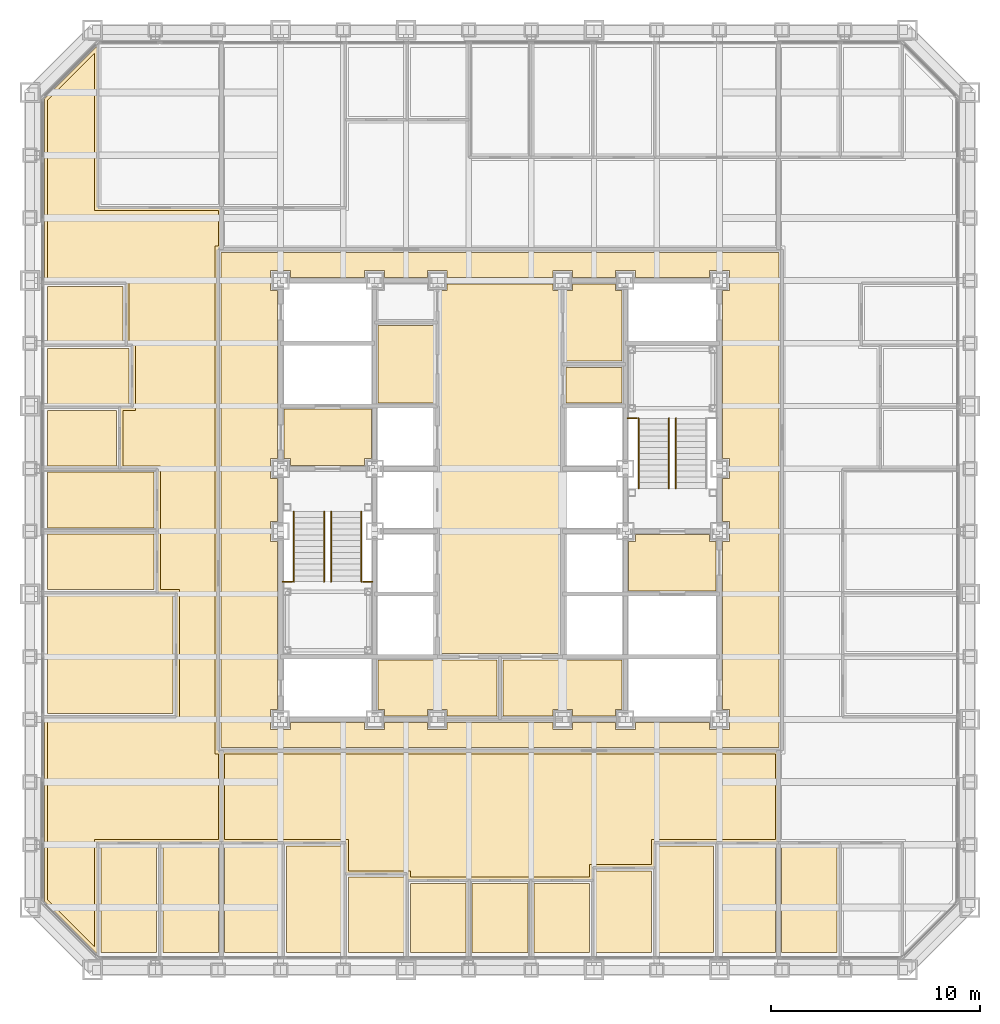
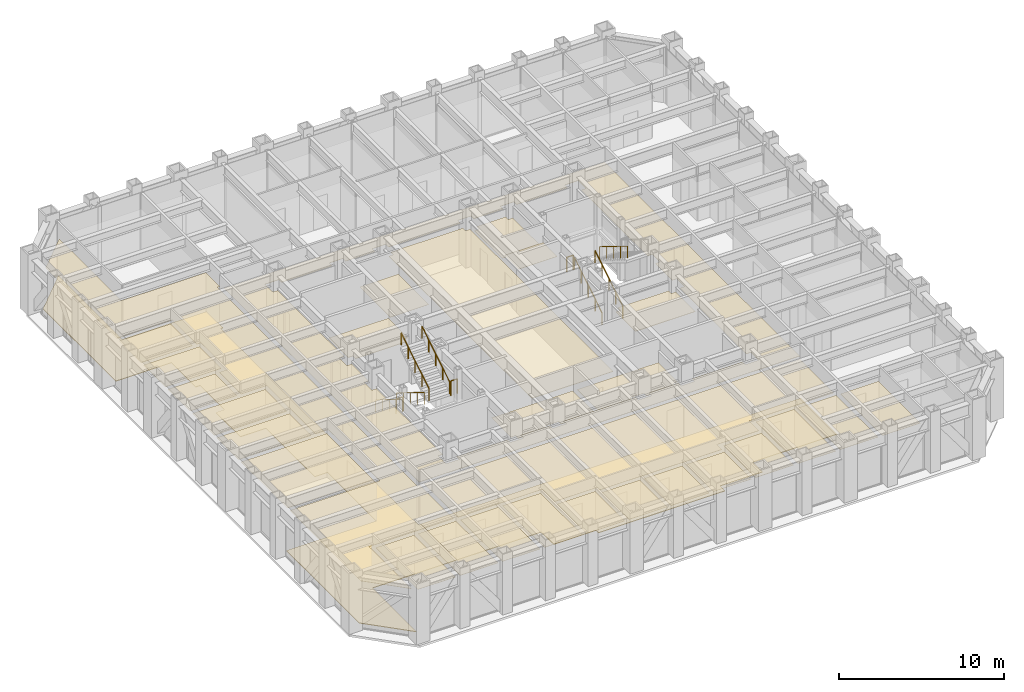
# One storey, part 14 of 16: 31 coverings, 10 railings.
"""IFC4 building model written with IfcOpenShell, lengths in metres."""

from ifc_helpers import new_model, si_unit, direction, frame, origin, origin_2d, place, context, subcontext, project, spatial, polyline, circle, outline, extrude, material, layer, layer_set, type_object, element, save


model = new_model("IFC4")

# Units and contexts
model_context = context("Model", 3, precision=1e-05, world=origin(), true_north=direction((0.0, 1.0)))
body_context = subcontext(model_context, "Body", "Model", "MODEL_VIEW")
ifc_project = project(units=[si_unit("LENGTHUNIT", "METRE"), si_unit("AREAUNIT", "SQUARE_METRE"), si_unit("VOLUMEUNIT", "CUBIC_METRE"), si_unit("PLANEANGLEUNIT", "RADIAN"), si_unit("MASSUNIT", "GRAM", prefix="KILO")], contexts=[model_context])

# Site, building, storey
site_placement = place(None, origin())
site = spatial("IfcSite", under=ifc_project, at=site_placement, CompositionType="ELEMENT")
building_placement = place(site_placement, origin())
building = spatial("IfcBuilding", under=site, at=building_placement, Name="Chuquiago Exchange Tower", CompositionType="ELEMENT")
storey_placement = place(building_placement, frame((0.0, 0.0, 73.800048828125)))
storey = spatial("IfcBuildingStorey", under=building, at=storey_placement, Name="L15", CompositionType="ELEMENT", Elevation=73.800048828125)

# Coverings
ifc_material_1 = material(Name="Mineral fibre tile, 600 x 600, on pale metal grid", Category="mineral fibre")
ifc_layer_1 = layer(ifc_material_1, 0.02001953125)
ifc_layer_set_1 = layer_set([ifc_layer_1], Name="CL1 suspended tile ceiling 20")
covering_type_1 = type_object("IfcCoveringType", Name="CL1 suspended tile ceiling 20", PredefinedType="CEILING", material=ifc_layer_set_1)
covering_1_placement = place(storey_placement, frame((0.0, 0.0, 3.0)))
element("IfcCovering", 1, at=covering_1_placement, inside=storey, type_object=covering_type_1, Name="Ceiling Office", PredefinedType="CEILING", context=body_context, shape_type="SweptSolid", body=[
    extrude(outline(polyline([(3.3984375, 5.949951171875), (6.060302734375, 5.949951171875), (6.060302734375, 0.85009765625), (3.3984375, 0.85009765625), (3.3984375, 5.949951171875)])), origin(), (0.0, 0.0, 1.0), 0.02001953125),
])
covering_2_placement = place(storey_placement, frame((0.0, 0.0, 3.0)))
element("IfcCovering", 2, at=covering_2_placement, inside=storey, type_object=covering_type_1, Name="Ceiling Office", PredefinedType="CEILING", context=body_context, shape_type="SweptSolid", body=[
    extrude(outline(polyline([(6.3603515625, 5.949951171875), (9.022216796875, 5.949951171875), (9.022216796875, 0.85009765625), (6.3603515625, 0.85009765625), (6.3603515625, 5.949951171875)])), origin(), (0.0, 0.0, 1.0), 0.02001953125),
])
covering_3_placement = place(storey_placement, frame((0.0, 0.0, 3.0)))
element("IfcCovering", 3, at=covering_3_placement, inside=storey, type_object=covering_type_1, Name="Ceiling Office", PredefinedType="CEILING", context=body_context, shape_type="SweptSolid", body=[
    extrude(outline(polyline([(9.322021484375, 5.949951171875), (11.98388671875, 5.949951171875), (11.98388671875, 0.85009765625), (9.322021484375, 0.85009765625), (9.322021484375, 5.949951171875)])), origin(), (0.0, 0.0, 1.0), 0.02001953125),
])
covering_4_placement = place(storey_placement, frame((0.0, 0.0, 3.0)))
element("IfcCovering", 4, at=covering_4_placement, inside=storey, type_object=covering_type_1, Name="Ceiling Office", PredefinedType="CEILING", context=body_context, shape_type="SweptSolid", body=[
    extrude(outline(polyline([(12.28369140625, 5.949951171875), (14.945556640625, 5.949951171875), (14.945556640625, 0.85009765625), (12.28369140625, 0.85009765625), (12.28369140625, 5.949951171875)])), origin(), (0.0, 0.0, 1.0), 0.02001953125),
])
covering_5_placement = place(storey_placement, frame((0.0, 0.0, 3.0)))
element("IfcCovering", 5, at=covering_5_placement, inside=storey, type_object=covering_type_1, Name="Ceiling Store", PredefinedType="CEILING", context=body_context, shape_type="SweptSolid", body=[
    extrude(outline(polyline([(15.24560546875, 4.449951171875), (17.907470703125, 4.449951171875), (17.907470703125, 0.85009765625), (15.24560546875, 0.85009765625), (15.24560546875, 4.449951171875)])), origin(), (0.0, 0.0, 1.0), 0.02001953125),
])
covering_6_placement = place(storey_placement, frame((0.0, 0.0, 3.0)))
element("IfcCovering", 6, at=covering_6_placement, inside=storey, type_object=covering_type_1, Name="Ceiling Focus room", PredefinedType="CEILING", context=body_context, shape_type="SweptSolid", body=[
    extrude(outline(polyline([(18.20751953125, 4.14990234375), (20.869140625, 4.14990234375), (20.869140625, 0.85009765625), (18.20751953125, 0.85009765625), (18.20751953125, 4.14990234375)])), origin(), (0.0, 0.0, 1.0), 0.02001953125),
])
covering_7_placement = place(storey_placement, frame((0.0, 0.0, 3.0)))
element("IfcCovering", 7, at=covering_7_placement, inside=storey, type_object=covering_type_1, Name="Ceiling Focus room", PredefinedType="CEILING", context=body_context, shape_type="SweptSolid", body=[
    extrude(outline(polyline([(21.169189453125, 4.14990234375), (23.830810546875, 4.14990234375), (23.830810546875, 0.85009765625), (21.169189453125, 0.85009765625), (21.169189453125, 4.14990234375)])), origin(), (0.0, 0.0, 1.0), 0.02001953125),
])
covering_8_placement = place(storey_placement, frame((0.0, 0.0, 3.0)))
element("IfcCovering", 8, at=covering_8_placement, inside=storey, type_object=covering_type_1, Name="Ceiling Focus room", PredefinedType="CEILING", context=body_context, shape_type="SweptSolid", body=[
    extrude(outline(polyline([(24.130859375, 4.14990234375), (26.79248046875, 4.14990234375), (26.79248046875, 0.85009765625), (24.130859375, 0.85009765625), (24.130859375, 4.14990234375)])), origin(), (0.0, 0.0, 1.0), 0.02001953125),
])
covering_9_placement = place(storey_placement, frame((0.0, 0.0, 3.0)))
element("IfcCovering", 9, at=covering_9_placement, inside=storey, type_object=covering_type_1, Name="Ceiling Pantry", PredefinedType="CEILING", context=body_context, shape_type="SweptSolid", body=[
    extrude(outline(polyline([(27.092529296875, 4.75), (29.75439453125, 4.75), (29.75439453125, 0.85009765625), (27.092529296875, 0.85009765625), (27.092529296875, 4.75)])), origin(), (0.0, 0.0, 1.0), 0.02001953125),
])
covering_10_placement = place(storey_placement, frame((0.0, 0.0, 3.0)))
element("IfcCovering", 10, at=covering_10_placement, inside=storey, type_object=covering_type_1, Name="Ceiling Meeting room", PredefinedType="CEILING", context=body_context, shape_type="SweptSolid", body=[
    extrude(outline(polyline([(30.054443359375, 5.949951171875), (32.71630859375, 5.949951171875), (32.71630859375, 0.85009765625), (30.054443359375, 0.85009765625), (30.054443359375, 5.949951171875)])), origin(), (0.0, 0.0, 1.0), 0.02001953125),
])
covering_11_placement = place(storey_placement, frame((0.0, 0.0, 3.0)))
element("IfcCovering", 11, at=covering_11_placement, inside=storey, type_object=covering_type_1, Name="Ceiling Meeting room", PredefinedType="CEILING", context=body_context, shape_type="SweptSolid", body=[
    extrude(outline(polyline([(33.01611328125, 5.949951171875), (35.677978515625, 5.949951171875), (35.677978515625, 0.85009765625), (33.01611328125, 0.85009765625), (33.01611328125, 5.949951171875)])), origin(), (0.0, 0.0, 1.0), 0.02001953125),
])
covering_12_placement = place(storey_placement, frame((0.0, 0.0, 3.0)))
element("IfcCovering", 12, at=covering_12_placement, inside=storey, type_object=covering_type_1, Name="Ceiling Office", PredefinedType="CEILING", context=body_context, shape_type="SweptSolid", body=[
    extrude(outline(polyline([(35.977783203125, 5.949951171875), (38.6396484375, 5.949951171875), (38.6396484375, 0.85009765625), (35.977783203125, 0.85009765625), (35.977783203125, 5.949951171875)])), origin(), (0.0, 0.0, 1.0), 0.02001953125),
])
covering_13_placement = place(storey_placement, frame((0.0, 0.0, 3.0)))
element("IfcCovering", 13, at=covering_13_placement, inside=storey, type_object=covering_type_1, Name="Ceiling Conference room", PredefinedType="CEILING", context=body_context, shape_type="SweptSolid", body=[
    extrude(outline(polyline([(6.85009765625, 17.907470703125), (6.85009765625, 12.28369140625), (0.85009765625, 12.28369140625), (0.85009765625, 17.907470703125), (6.85009765625, 17.907470703125)])), origin(), (0.0, 0.0, 1.0), 0.02001953125),
])
covering_14_placement = place(storey_placement, frame((0.0, 0.0, 3.0)))
element("IfcCovering", 14, at=covering_14_placement, inside=storey, type_object=covering_type_1, Name="Ceiling Office", PredefinedType="CEILING", context=body_context, shape_type="SweptSolid", body=[
    extrude(outline(polyline([(5.949951171875, 20.869140625), (5.949951171875, 18.20751953125), (0.85009765625, 18.20751953125), (0.85009765625, 20.869140625), (5.949951171875, 20.869140625)])), origin(), (0.0, 0.0, 1.0), 0.02001953125),
])
covering_15_placement = place(storey_placement, frame((0.0, 0.0, 3.0)))
element("IfcCovering", 15, at=covering_15_placement, inside=storey, type_object=covering_type_1, Name="Ceiling Office", PredefinedType="CEILING", context=body_context, shape_type="SweptSolid", body=[
    extrude(outline(polyline([(5.949951171875, 23.830810546875), (5.949951171875, 21.169189453125), (0.85009765625, 21.169189453125), (0.85009765625, 23.830810546875), (5.949951171875, 23.830810546875)])), origin(), (0.0, 0.0, 1.0), 0.02001953125),
])
covering_16_placement = place(storey_placement, frame((0.0, 0.0, 3.0)))
element("IfcCovering", 16, at=covering_16_placement, inside=storey, type_object=covering_type_1, Name="Ceiling Focus room", PredefinedType="CEILING", context=body_context, shape_type="SweptSolid", body=[
    extrude(outline(polyline([(4.14990234375, 26.79248046875), (4.14990234375, 24.130859375), (0.85009765625, 24.130859375), (0.85009765625, 26.79248046875), (4.14990234375, 26.79248046875)])), origin(), (0.0, 0.0, 1.0), 0.02001953125),
])
covering_17_placement = place(storey_placement, frame((0.0, 0.0, 3.0)))
element("IfcCovering", 17, at=covering_17_placement, inside=storey, type_object=covering_type_1, Name="Ceiling Pantry", PredefinedType="CEILING", context=body_context, shape_type="SweptSolid", body=[
    extrude(outline(polyline([(4.75, 29.75439453125), (4.75, 27.092529296875), (0.85009765625, 27.092529296875), (0.85009765625, 29.75439453125), (4.75, 29.75439453125)])), origin(), (0.0, 0.0, 1.0), 0.02001953125),
])
covering_18_placement = place(storey_placement, frame((0.0, 0.0, 3.0)))
element("IfcCovering", 18, at=covering_18_placement, inside=storey, type_object=covering_type_1, Name="Ceiling Store", PredefinedType="CEILING", context=body_context, shape_type="SweptSolid", body=[
    extrude(outline(polyline([(4.449951171875, 32.71630859375), (4.449951171875, 30.054443359375), (0.85009765625, 30.054443359375), (0.85009765625, 32.71630859375), (4.449951171875, 32.71630859375)])), origin(), (0.0, 0.0, 1.0), 0.02001953125),
])
covering_19_placement = place(storey_placement, frame((0.0, 0.0, 3.0)))
element("IfcCovering", 19, at=covering_19_placement, inside=storey, type_object=covering_type_1, Name="Ceiling Trading floor south suite", PredefinedType="CEILING", context=body_context, shape_type="SweptSolid", body=[
    extrude(outline(polyline([(29.75439453125, 6.25), (29.75439453125, 5.050048828125), (26.79248046875, 5.050048828125), (26.79248046875, 4.449951171875), (18.20751953125, 4.449951171875), (18.20751953125, 4.75), (15.24560546875, 4.75), (15.24560546875, 6.25), (9.322509765625, 6.25), (9.322509765625, 10.349609375), (35.677490234375, 10.349609375), (35.677490234375, 6.25), (29.75439453125, 6.25)])), origin(), (0.0, 0.0, 1.0), 0.02001953125),
])
covering_20_placement = place(storey_placement, frame((0.0, 0.0, 3.0)))
element("IfcCovering", 20, at=covering_20_placement, inside=storey, type_object=covering_type_1, Name="Ceiling Trading floor west suite", PredefinedType="CEILING", context=body_context, shape_type="SweptSolid", body=[
    extrude(outline(polyline([(3.098388671875, 36.35009765625), (9.021484375, 36.35009765625), (9.021484375, 34.650146484375), (8.849609375, 34.649658203125), (8.849609375, 10.350341796875), (9.021484375, 10.349853515625), (9.021484375, 6.25), (3.098388671875, 6.25), (3.098388671875, 1.103515625), (0.85009765625, 3.35205078125), (0.85009765625, 11.98388671875), (7.14990234375, 11.98388671875), (7.14990234375, 18.20751953125), (6.25, 18.20751953125), (6.25, 24.130859375), (4.449951171875, 24.130859375), (4.449951171875, 26.79248046875), (5.050048828125, 26.79248046875), (5.050048828125, 30.054443359375), (4.75, 30.054443359375), (4.75, 33.01611328125), (0.85009765625, 33.01611328125), (0.85009765625, 41.64794921875), (3.098388671875, 43.896484375), (3.098388671875, 36.35009765625)])), origin(), (0.0, 0.0, 1.0), 0.02001953125),
])
covering_21_placement = place(storey_placement, frame((0.0, 0.0, 3.0)))
element("IfcCovering", 21, at=covering_21_placement, inside=storey, type_object=covering_type_1, Name="Ceiling Tenant corridor", PredefinedType="CEILING", context=body_context, shape_type="SweptSolid", body=[
    extrude(outline(polyline([(9.14990234375, 34.35009765625), (35.85009765625, 34.35009765625), (35.85009765625, 10.64990234375), (9.14990234375, 10.64990234375), (9.14990234375, 34.35009765625)]), holes=[polyline([(11.85009765625, 24.47509765625), (11.52490234375, 24.47509765625), (11.52490234375, 23.52490234375), (11.85009765625, 23.52490234375), (11.85009765625, 21.47509765625), (11.52490234375, 21.47509765625), (11.52490234375, 20.52490234375), (11.85009765625, 20.52490234375), (11.85009765625, 12.47509765625), (11.52490234375, 12.47509765625), (11.52490234375, 11.52490234375), (12.47509765625, 11.52490234375), (12.47509765625, 11.85009765625), (16.02490234375, 11.85009765625), (16.02490234375, 11.52490234375), (16.97509765625, 11.52490234375), (16.97509765625, 11.85009765625), (19.02490234375, 11.85009765625), (19.02490234375, 11.52490234375), (19.97509765625, 11.52490234375), (19.97509765625, 11.85009765625), (25.02490234375, 11.85009765625), (25.02490234375, 11.52490234375), (25.97509765625, 11.52490234375), (25.97509765625, 11.85009765625), (28.02490234375, 11.85009765625), (28.02490234375, 11.52490234375), (28.97509765625, 11.52490234375), (28.97509765625, 11.85009765625), (32.52490234375, 11.85009765625), (32.52490234375, 11.52490234375), (33.47509765625, 11.52490234375), (33.47509765625, 12.47509765625), (33.14990234375, 12.47509765625), (33.14990234375, 20.52490234375), (33.47509765625, 20.52490234375), (33.47509765625, 21.47509765625), (33.14990234375, 21.47509765625), (33.14990234375, 23.52490234375), (33.47509765625, 23.52490234375), (33.47509765625, 24.47509765625), (33.14990234375, 24.47509765625), (33.14990234375, 32.52490234375), (33.47509765625, 32.52490234375), (33.47509765625, 33.47509765625), (32.52490234375, 33.47509765625), (32.52490234375, 33.14990234375), (28.97509765625, 33.14990234375), (28.97509765625, 33.47509765625), (28.02490234375, 33.47509765625), (28.02490234375, 33.14990234375), (25.97509765625, 33.14990234375), (25.97509765625, 33.47509765625), (25.02490234375, 33.47509765625), (25.02490234375, 33.14990234375), (19.97509765625, 33.14990234375), (19.97509765625, 33.47509765625), (19.02490234375, 33.47509765625), (19.02490234375, 33.14990234375), (16.97509765625, 33.14990234375), (16.97509765625, 33.47509765625), (16.02490234375, 33.47509765625), (16.02490234375, 33.14990234375), (12.47509765625, 33.14990234375), (12.47509765625, 33.47509765625), (11.52490234375, 33.47509765625), (11.52490234375, 32.52490234375), (11.85009765625, 32.52490234375), (11.85009765625, 24.47509765625)])]), origin(), (0.0, 0.0, 1.0), 0.02001953125),
])
covering_22_placement = place(storey_placement, frame((0.0, 0.0, 3.0)))
element("IfcCovering", 22, at=covering_22_placement, inside=storey, type_object=covering_type_1, Name="Ceiling First aid room", PredefinedType="CEILING", context=body_context, shape_type="SweptSolid", body=[
    extrude(outline(polyline([(25.64990234375, 27.14990234375), (25.64990234375, 28.85009765625), (28.35009765625, 28.85009765625), (28.35009765625, 27.14990234375), (25.64990234375, 27.14990234375)])), origin(), (0.0, 0.0, 1.0), 0.02001953125),
])
ifc_material_2 = material(Name="Moisture resistant plasterboard on metal frame", Category="gypsum")
ifc_layer_2 = layer(ifc_material_2, 0.014892578125)
ifc_layer_set_2 = layer_set([ifc_layer_2], Name="CL2 moisture resistant ceiling 15")
covering_type_2 = type_object("IfcCoveringType", Name="CL2 moisture resistant ceiling 15", PredefinedType="CEILING", material=ifc_layer_set_2)
covering_23_placement = place(storey_placement, frame((0.0, 0.0, 2.599853515625)))
element("IfcCovering", 23, at=covering_23_placement, inside=storey, type_object=covering_type_2, Name="Ceiling Male WC", PredefinedType="CEILING", context=body_context, shape_type="SweptSolid", body=[
    extrude(outline(polyline([(16.64990234375, 27.14990234375), (16.64990234375, 30.85009765625), (19.35009765625, 30.85009765625), (19.35009765625, 27.14990234375), (16.64990234375, 27.14990234375)])), origin(), (0.0, 0.0, 1.0), 0.01513671875),
])
covering_24_placement = place(storey_placement, frame((0.0, 0.0, 2.599853515625)))
element("IfcCovering", 24, at=covering_24_placement, inside=storey, type_object=covering_type_2, Name="Ceiling Female WC", PredefinedType="CEILING", context=body_context, shape_type="SweptSolid", body=[
    extrude(outline(polyline([(25.64990234375, 29.14990234375), (25.64990234375, 32.52490234375), (25.97509765625, 32.52490234375), (25.97509765625, 32.85009765625), (28.02490234375, 32.85009765625), (28.02490234375, 32.52490234375), (28.35009765625, 32.52490234375), (28.35009765625, 29.14990234375), (25.64990234375, 29.14990234375)])), origin(), (0.0, 0.0, 1.0), 0.01513671875),
])
covering_25_placement = place(storey_placement, frame((0.0, 0.0, 2.599853515625)))
element("IfcCovering", 25, at=covering_25_placement, inside=storey, type_object=covering_type_2, Name="Ceiling Accessible WC", PredefinedType="CEILING", context=body_context, shape_type="SweptSolid", body=[
    extrude(outline(polyline([(25.97509765625, 12.14990234375), (25.97509765625, 12.47509765625), (25.02490234375, 12.47509765625), (25.02490234375, 12.14990234375), (22.64990234375, 12.14990234375), (22.64990234375, 14.85009765625), (28.35009765625, 14.85009765625), (28.35009765625, 12.47509765625), (28.02490234375, 12.47509765625), (28.02490234375, 12.14990234375), (25.97509765625, 12.14990234375)])), origin(), (0.0, 0.0, 1.0), 0.01513671875),
])
covering_26_placement = place(storey_placement, frame((0.0, 0.0, 2.599853515625)))
element("IfcCovering", 26, at=covering_26_placement, inside=storey, type_object=covering_type_2, Name="Ceiling Cleaner", PredefinedType="CEILING", context=body_context, shape_type="SweptSolid", body=[
    extrude(outline(polyline([(19.97509765625, 12.14990234375), (19.97509765625, 12.47509765625), (19.02490234375, 12.47509765625), (19.02490234375, 12.14990234375), (16.97509765625, 12.14990234375), (16.97509765625, 12.47509765625), (16.64990234375, 12.47509765625), (16.64990234375, 14.85009765625), (22.35009765625, 14.85009765625), (22.35009765625, 12.14990234375), (19.97509765625, 12.14990234375)])), origin(), (0.0, 0.0, 1.0), 0.01513671875),
])
ifc_material_3 = material(Name="Pale metal plank ceiling, perforated", Category="aluminium")
ifc_layer_3 = layer(ifc_material_3, 0.030029296875)
ifc_layer_set_3 = layer_set([ifc_layer_3], Name="CL3 metal plank ceiling 30")
covering_type_3 = type_object("IfcCoveringType", Name="CL3 metal plank ceiling 30", PredefinedType="CEILING", material=ifc_layer_set_3)
covering_27_placement = place(storey_placement, frame((0.0, 0.0, 2.800048828125)))
element("IfcCovering", 27, at=covering_27_placement, inside=storey, type_object=covering_type_3, Name="Ceiling Lift lobby", PredefinedType="CEILING", context=body_context, shape_type="SweptSolid", body=[
    extrude(outline(polyline([(19.64990234375, 15.14990234375), (19.64990234375, 32.52490234375), (19.97509765625, 32.52490234375), (19.97509765625, 32.85009765625), (25.02490234375, 32.85009765625), (25.02490234375, 32.52490234375), (25.35009765625, 32.52490234375), (25.35009765625, 15.14990234375), (19.64990234375, 15.14990234375)])), origin(), (0.0, 0.0, 1.0), 0.02978515625),
])
covering_28_placement = place(storey_placement, frame((0.0, 0.0, 2.800048828125)))
element("IfcCovering", 28, at=covering_28_placement, inside=storey, type_object=covering_type_3, Name="Ceiling Firefighting lobby", PredefinedType="CEILING", context=body_context, shape_type="SweptSolid", body=[
    extrude(outline(polyline([(12.47509765625, 24.14990234375), (12.47509765625, 24.47509765625), (12.14990234375, 24.47509765625), (12.14990234375, 26.85009765625), (16.35009765625, 26.85009765625), (16.35009765625, 24.47509765625), (16.02490234375, 24.47509765625), (16.02490234375, 24.14990234375), (12.47509765625, 24.14990234375)])), origin(), (0.0, 0.0, 1.0), 0.02978515625),
])
covering_29_placement = place(storey_placement, frame((0.0, 0.0, 2.800048828125)))
element("IfcCovering", 29, at=covering_29_placement, inside=storey, type_object=covering_type_3, Name="Ceiling Firefighting lobby", PredefinedType="CEILING", context=body_context, shape_type="SweptSolid", body=[
    extrude(outline(polyline([(28.64990234375, 18.14990234375), (28.64990234375, 20.52490234375), (28.97509765625, 20.52490234375), (28.97509765625, 20.85009765625), (32.52490234375, 20.85009765625), (32.52490234375, 20.52490234375), (32.85009765625, 20.52490234375), (32.85009765625, 18.14990234375), (28.64990234375, 18.14990234375)])), origin(), (0.0, 0.0, 1.0), 0.02978515625),
])

# Railings
ifc_material_4 = material(Name="Pale metal guard with safety glass infill", Category="glass")
railing_type_1 = type_object("IfcRailingType", Name="GR1 guard 1100", PredefinedType="GUARDRAIL", material=ifc_material_4)
for number, where, name in (
    (30, (12.10009765625, 18.590087890625, 2.25), "Guard ST1 L15 landing 2"),
    (31, (15.945068359375, 18.590087890625, 2.25), "Guard ST1 L15 landing 2"),
    (32, (28.60009765625, 26.409912109375, 2.25), "Guard ST2 L15 landing 2"),
):
    element("IfcRailing", number, at=place(storey_placement, frame(where)), inside=storey, type_object=railing_type_1, Name=name, PredefinedType="GUARDRAIL", context=body_context, shape_type="SweptSolid", body=[
        extrude(circle(Radius=0.02392578125, at=origin_2d()), frame((0.0, 0.0, 1.076171875), z_axis=(1.0, 0.0, 0.0), x_axis=(0.0, 1.0, 0.0)), (0.0, 0.0, 1.0), 0.454833984375),
        extrude(circle(Radius=0.02099609375, at=origin_2d()), origin(), (0.0, 0.0, 1.0), 1.052001953125),
        extrude(circle(Radius=0.02099609375, at=origin_2d()), frame((0.454833984375, 0.0, 0.0)), (0.0, 0.0, 1.0), 1.052001953125),
    ])
ifc_material_5 = material(Name="Pale metal handrail", Category="steel")
railing_type_2 = type_object("IfcRailingType", Name="HR1 handrail 900", PredefinedType="HANDRAIL", material=ifc_material_5)
for number, where, name in (
    (33, (12.635009765625, 21.949951171875, 0.173095703125), "Handrail ST1 L15 flight 1"),
    (34, (14.0849609375, 21.949951171875, 0.173095703125), "Handrail ST1 L15 flight 1"),
):
    element("IfcRailing", number, at=place(storey_placement, frame(where)), inside=storey, type_object=railing_type_2, Name=name, PredefinedType="HANDRAIL", context=body_context, shape_type="SweptSolid", body=[
        extrude(circle(Radius=0.02392578125, at=origin_2d()), frame((0.0, 0.0, 0.8759765625), z_axis=(0.0, -0.850606129759, 0.525803396734), x_axis=(1.0, 0.0, 0.0)), (0.0, 0.0, 1.0), 3.949951171875),
        extrude(circle(Radius=0.02099609375, at=origin_2d()), origin(), (0.0, 0.0, 1.0), 0.851806640625),
        extrude(circle(Radius=0.02099609375, at=origin_2d()), frame((0.0, -0.83984375, 0.519287109375)), (0.0, 0.0, 1.0), 0.851806640625),
        extrude(circle(Radius=0.02099609375, at=origin_2d()), frame((0.0, -1.679931640625, 1.03857421875)), (0.0, 0.0, 1.0), 0.851806640625),
        extrude(circle(Radius=0.02099609375, at=origin_2d()), frame((0.0, -2.52001953125, 1.5576171875)), (0.0, 0.0, 1.0), 0.851806640625),
        extrude(circle(Radius=0.02099609375, at=origin_2d()), frame((0.0, -3.35986328125, 2.076904296875)), (0.0, 0.0, 1.0), 0.851806640625),
    ])
for number, where, name in (
    (35, (15.864990234375, 18.590087890625, 2.423095703125), "Handrail ST1 L15 flight 2"),
    (36, (14.4150390625, 18.590087890625, 2.423095703125), "Handrail ST1 L15 flight 2"),
    (37, (30.5849609375, 23.050048828125, 0.173095703125), "Handrail ST2 L15 flight 1"),
    (38, (29.135009765625, 23.050048828125, 0.173095703125), "Handrail ST2 L15 flight 1"),
):
    element("IfcRailing", number, at=place(storey_placement, frame(where)), inside=storey, type_object=railing_type_2, Name=name, PredefinedType="HANDRAIL", context=body_context, shape_type="SweptSolid", body=[
        extrude(circle(Radius=0.02392578125, at=origin_2d()), frame((0.0, 0.0, 0.8759765625), z_axis=(0.0, 0.850606129759, 0.525803396734), x_axis=(-1.0, 0.0, 0.0)), (0.0, 0.0, 1.0), 3.949951171875),
        extrude(circle(Radius=0.02099609375, at=origin_2d()), origin(), (0.0, 0.0, 1.0), 0.851806640625),
        extrude(circle(Radius=0.02099609375, at=origin_2d()), frame((0.0, 0.83984375, 0.519287109375)), (0.0, 0.0, 1.0), 0.851806640625),
        extrude(circle(Radius=0.02099609375, at=origin_2d()), frame((0.0, 1.679931640625, 1.03857421875)), (0.0, 0.0, 1.0), 0.851806640625),
        extrude(circle(Radius=0.02099609375, at=origin_2d()), frame((0.0, 2.52001953125, 1.5576171875)), (0.0, 0.0, 1.0), 0.851806640625),
        extrude(circle(Radius=0.02099609375, at=origin_2d()), frame((0.0, 3.35986328125, 2.076904296875)), (0.0, 0.0, 1.0), 0.851806640625),
    ])
railing_placement = place(storey_placement, frame((30.9150390625, 26.409912109375, 2.423095703125)))
element("IfcRailing", 39, at=railing_placement, inside=storey, type_object=railing_type_2, Name="Handrail ST2 L15 flight 2", PredefinedType="HANDRAIL", context=body_context, shape_type="SweptSolid", body=[
    extrude(circle(Radius=0.02392578125, at=origin_2d()), frame((0.0, 0.0, 0.8759765625), z_axis=(0.0, -0.850606129759, 0.525803396734), x_axis=(1.0, 0.0, 0.0)), (0.0, 0.0, 1.0), 3.949951171875),
    extrude(circle(Radius=0.02099609375, at=origin_2d()), origin(), (0.0, 0.0, 1.0), 0.851806640625),
    extrude(circle(Radius=0.02099609375, at=origin_2d()), frame((0.0, -0.83984375, 0.519287109375)), (0.0, 0.0, 1.0), 0.851806640625),
    extrude(circle(Radius=0.02099609375, at=origin_2d()), frame((0.0, -1.679931640625, 1.03857421875)), (0.0, 0.0, 1.0), 0.851806640625),
    extrude(circle(Radius=0.02099609375, at=origin_2d()), frame((0.0, -2.52001953125, 1.5576171875)), (0.0, 0.0, 1.0), 0.851806640625),
    extrude(circle(Radius=0.02099609375, at=origin_2d()), frame((0.0, -3.35986328125, 2.076904296875)), (0.0, 0.0, 1.0), 0.851806640625),
])

# Coverings
ifc_material_6 = material(Name="Steel raised floor panel", Category="steel")
ifc_layer_4 = layer(ifc_material_6, 0.0400390625)
ifc_layer_set_4 = layer_set([ifc_layer_4], Name="RF1 raised access floor 40")
covering_type_4 = type_object("IfcCoveringType", Name="RF1 raised access floor 40", PredefinedType="FLOORING", material=ifc_layer_set_4)
covering_30_placement = place(storey_placement, frame((0.0, 0.0, -0.0400390625)))
element("IfcCovering", 40, at=covering_30_placement, inside=storey, type_object=covering_type_4, Name="Raised access floor Trading floor south suite", PredefinedType="FLOORING", context=body_context, shape_type="SweptSolid", body=[
    extrude(outline(polyline([(35.827392578125, 6.10009765625), (29.904296875, 6.10009765625), (29.904296875, 4.89990234375), (26.942626953125, 4.89990234375), (26.942626953125, 4.300048828125), (18.057373046875, 4.300048828125), (18.057373046875, 4.60009765625), (15.095703125, 4.60009765625), (15.095703125, 6.10009765625), (9.172607421875, 6.10009765625), (9.172607421875, 10.49951171875), (35.827392578125, 10.49951171875), (35.827392578125, 6.10009765625)])), origin(), (0.0, 0.0, 1.0), 0.0400390625),
])
covering_31_placement = place(storey_placement, frame((0.0, 0.0, -0.0400390625)))
element("IfcCovering", 41, at=covering_31_placement, inside=storey, type_object=covering_type_4, Name="Raised access floor Trading floor west suite", PredefinedType="FLOORING", context=body_context, shape_type="SweptSolid", body=[
    extrude(outline(polyline([(7.0, 18.057373046875), (6.10009765625, 18.057373046875), (6.10009765625, 23.98095703125), (4.300048828125, 23.98095703125), (4.300048828125, 26.942626953125), (4.89990234375, 26.942626953125), (4.89990234375, 29.904296875), (4.60009765625, 29.904296875), (4.60009765625, 32.8662109375), (0.699951171875, 32.8662109375), (0.699951171875, 41.710205078125), (3.289794921875, 44.300048828125), (3.24853515625, 44.258544921875), (3.24853515625, 36.5), (9.171630859375, 36.5), (9.171630859375, 34.50048828125), (8.99951171875, 34.5), (8.99951171875, 10.5), (9.171630859375, 10.49951171875), (9.171630859375, 6.10009765625), (3.24853515625, 6.10009765625), (3.24853515625, 0.741455078125), (0.699951171875, 3.289794921875), (0.699951171875, 12.1337890625), (7.0, 12.1337890625), (7.0, 18.057373046875)])), origin(), (0.0, 0.0, 1.0), 0.0400390625),
])

save(model, "model.ifc")
